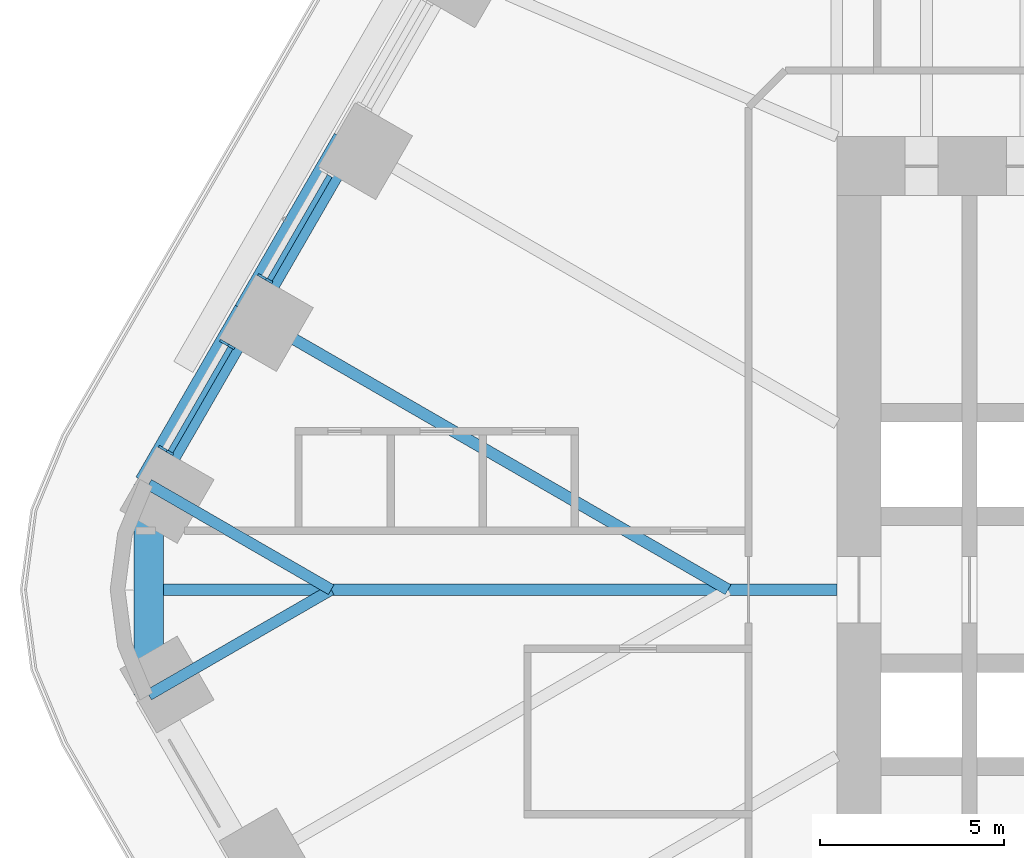
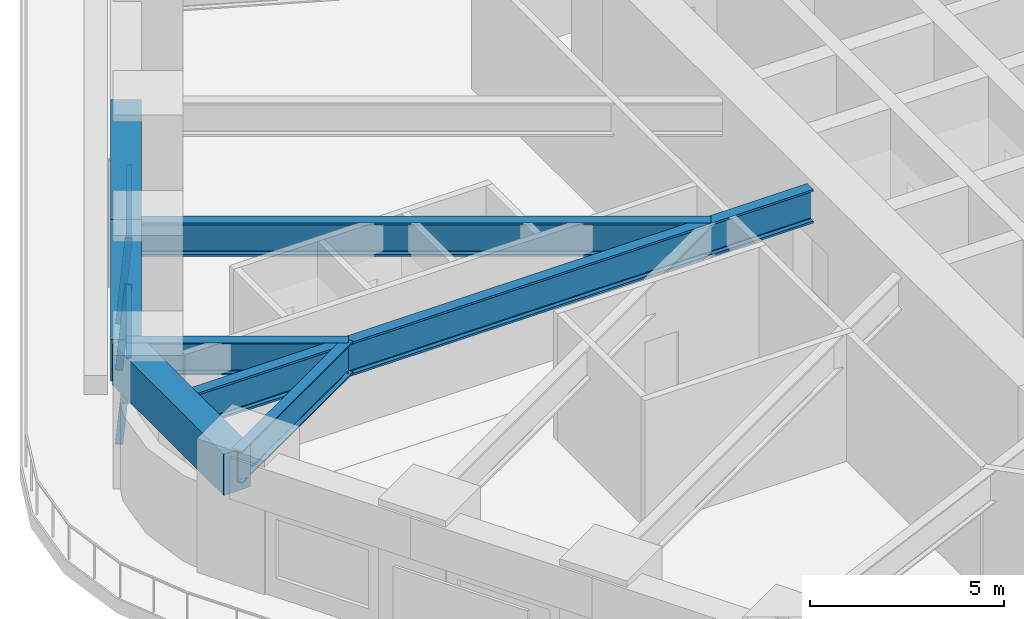
# One storey, part 6 of 23: 7 beams, 5 members, 2 elements without a shape of their own.
"""IFC4 building model written with IfcOpenShell, lengths in metres."""

import ifcopenshell
import ifcopenshell.guid

model = None  # the IFC model being written
_history = None  # IfcOwnerHistory: only IFC2X3 demands one
_inside = {}  # id of a spatial element -> (the spatial element, [elements in it])
_under = {}  # id of a project, library or spatial element -> (it, [spatial elements below it])
_declared = {}  # id of a project -> (the project, [libraries it declares])
_typed = {}  # id of a type object -> (the type object, [elements of that type])
_made_of = {}  # id of a material, layer set ... -> (it, [elements and type objects made of it])


def new_model(schema):
    """Start an empty IFC model of exactly this schema.

    Asked for "IFC4X3", IfcOpenShell would pick the latest addendum, in which some entities
    have other attributes; the version numbers below select the first issue.
    IFC2X3 requires an IfcOwnerHistory on every rooted entity: one is made here for all.
    """
    global model, _history
    if schema == "IFC4X3":
        model = ifcopenshell.file(schema_version=(4, 3, 0, 0))
    else:
        model = ifcopenshell.file(schema=schema)
    _inside.clear()
    _under.clear()
    _declared.clear()
    _typed.clear()
    _made_of.clear()
    _history = None
    if model.schema == "IFC2X3":
        org = make("IfcOrganization", Name="unknown")
        user = make(
            "IfcPersonAndOrganization",
            ThePerson=make("IfcPerson", FamilyName="unknown"),
            TheOrganization=org,
        )
        app = make(
            "IfcApplication",
            ApplicationDeveloper=org,
            Version="unknown",
            ApplicationFullName="unknown",
            ApplicationIdentifier="unknown",
        )
        _history = make(
            "IfcOwnerHistory",
            OwningUser=user,
            OwningApplication=app,
            ChangeAction="ADDED",
            CreationDate=0,
        )
    return model


def make(cls, **values):
    """One entity of the class cls with the attributes given. An attribute that is None is left unset."""
    return model.create_entity(
        cls, **{name: value for name, value in values.items() if value is not None}
    )


def rooted(cls, **values):
    """An entity with a GlobalId (a new one), such as an element, a storey or a relation."""
    return make(cls, GlobalId=ifcopenshell.guid.new(), OwnerHistory=_history, **values)


def si_unit(unit_type, name, prefix=None):
    """IfcSIUnit, for example si_unit("LENGTHUNIT", "METRE", prefix="MILLI")."""
    return make("IfcSIUnit", UnitType=unit_type, Prefix=prefix, Name=name)


def assignment(units):
    """IfcUnitAssignment: the units of a project."""
    return None if units is None else make("IfcUnitAssignment", Units=units)


def point(xyz):
    """IfcCartesianPoint."""
    return None if xyz is None else make("IfcCartesianPoint", Coordinates=xyz)


def direction(xyz):
    """IfcDirection."""
    return None if xyz is None else make("IfcDirection", DirectionRatios=xyz)


def frame(location, z_axis=None, x_axis=None):
    """IfcAxis2Placement3D, a coordinate frame: its origin and axes. An axis left out is left unset."""
    return make(
        "IfcAxis2Placement3D",
        Location=point(location),
        Axis=direction(z_axis),
        RefDirection=direction(x_axis),
    )


def frame_2d(location, x_axis=None):
    """IfcAxis2Placement2D, a coordinate frame in the plane: its origin and x axis."""
    return make(
        "IfcAxis2Placement2D", Location=point(location), RefDirection=direction(x_axis)
    )


def origin():
    """The frame at (0, 0, 0) with its axes left unset."""
    return frame((0.0, 0.0, 0.0))


def origin_2d():
    """The frame at (0, 0) in the plane with its x axis left unset."""
    return frame_2d((0.0, 0.0))


def place(relative_to, where):
    """IfcLocalPlacement: puts the frame where relative to a parent placement (None: the world)."""
    return make(
        "IfcLocalPlacement", PlacementRelTo=relative_to, RelativePlacement=where
    )


def context(
    kind, dimensions, precision=None, world=None, true_north=None, identifier=None
):
    """IfcGeometricRepresentationContext, for example the 3D "Model" context."""
    return make(
        "IfcGeometricRepresentationContext",
        ContextIdentifier=identifier,
        ContextType=kind,
        CoordinateSpaceDimension=dimensions,
        Precision=precision,
        WorldCoordinateSystem=world,
        TrueNorth=true_north,
    )


def subcontext(parent, identifier, kind, view, scale=None):
    """IfcGeometricRepresentationSubContext, for example "Body" below "Model"."""
    return make(
        "IfcGeometricRepresentationSubContext",
        ContextIdentifier=identifier,
        ContextType=kind,
        ParentContext=parent,
        TargetScale=scale,
        TargetView=view,
    )


def project(units=None, contexts=None):
    """IfcProject with its units and contexts."""
    return rooted(
        "IfcProject",
        Name="project",
        RepresentationContexts=contexts,
        UnitsInContext=assignment(units),
    )


def spatial(cls, under=None, at=None, **own):
    """A site, building, storey or space (cls), placed at a placement, below another one or the project."""
    s = rooted(cls, ObjectPlacement=at, **own)
    if under is not None:
        _under.setdefault(under.id(), (under, []))[1].append(s)
    return s


def profile(cls, at=None, kind="AREA", **sizes):
    """A parametric profile (cls). Its sizes go by their IFC names, for example OverallWidth=200.0."""
    return make(cls, ProfileType=kind, Position=at, **sizes)


def rectangle(**sizes):
    """IfcRectangleProfileDef."""
    return profile("IfcRectangleProfileDef", **sizes)


def i_section(**sizes):
    """IfcIShapeProfileDef."""
    return profile("IfcIShapeProfileDef", **sizes)


def extrude(swept, where, along, depth):
    """IfcExtrudedAreaSolid: the profile swept, set in the frame where, extruded along a direction by depth."""
    return make(
        "IfcExtrudedAreaSolid",
        SweptArea=swept,
        Position=where,
        ExtrudedDirection=direction(along),
        Depth=depth,
    )


def shape(context_of_items, identifier, shape_type, items):
    """IfcShapeRepresentation: the items that make up one representation, for example the "Body"."""
    return make(
        "IfcShapeRepresentation",
        ContextOfItems=context_of_items,
        RepresentationIdentifier=identifier,
        RepresentationType=shape_type,
        Items=items,
    )


def material(Name=None, Category=None):
    """IfcMaterial."""
    return make("IfcMaterial", Name=Name, Category=Category)


def material_profile(
    of_material, cross_section, Name=None, Category=None, Priority=None
):
    """IfcMaterialProfile: a cross section and its material."""
    return make(
        "IfcMaterialProfile",
        Name=Name,
        Material=of_material,
        Profile=cross_section,
        Priority=Priority,
        Category=Category,
    )


def profile_set(profiles, Name=None, composite=None):
    """IfcMaterialProfileSet."""
    return make(
        "IfcMaterialProfileSet",
        Name=Name,
        MaterialProfiles=profiles,
        CompositeProfile=composite,
    )


def made_of(thing, what):
    """Note that an element or type object is made of a material, layer set ...; save() writes the relation."""
    if what is not None:
        _made_of.setdefault(what.id(), (what, []))[1].append(thing)
    return thing


def type_object(cls, material=None, **own):
    """A type object (cls), such as IfcWallType, which elements share."""
    return made_of(rooted(cls, **own), material)


def element(
    cls,
    number,
    at=None,
    inside=None,
    cuts=None,
    type_object=None,
    material=None,
    context=None,
    identifier="Body",
    shape_type=None,
    held_by="IfcProductDefinitionShape",
    body=None,
    shapes=None,
    **own,
):
    """One element of the class cls, such as IfcWall. Its Tag is "e" and its number.

    at: its placement. inside: the storey or other place that contains it. cuts: it is an
    opening in that element (IfcRelVoidsElement). A single representation is given by context,
    identifier, shape_type and body (its items); several are given by shapes. held_by: the class
    of the entity that holds the representations. save() writes the other relations.
    """
    e = rooted(cls, Tag="e%d" % number, ObjectPlacement=at, **own)
    if body is not None:
        shapes = [shape(context, identifier, shape_type, body)]
    if shapes is not None:
        e.Representation = make(held_by, Representations=shapes)
    if inside is not None:
        _inside.setdefault(inside.id(), (inside, []))[1].append(e)
    if cuts is not None:
        rooted(
            "IfcRelVoidsElement", RelatingBuildingElement=cuts, RelatedOpeningElement=e
        )
    if type_object is not None:
        _typed.setdefault(type_object.id(), (type_object, []))[1].append(e)
    return made_of(e, material)


def aggregate(whole, parts):
    """IfcRelAggregates: a whole, such as a stair, and the parts it consists of."""
    return rooted("IfcRelAggregates", RelatingObject=whole, RelatedObjects=parts)


def save(model, path):
    """Write the relations noted so far, then the file.

    IfcRelAggregates (storeys below a building ...), IfcRelContainedInSpatialStructure (elements
    in a storey), IfcRelDefinesByType, IfcRelAssociatesMaterial and IfcRelDeclares: one each for
    every whole, place, type object, material and project.
    """
    for whole, parts in _under.values():
        aggregate(whole, parts)
    for where, things in _inside.values():
        rooted(
            "IfcRelContainedInSpatialStructure",
            RelatedElements=things,
            RelatingStructure=where,
        )
    for kind, things in _typed.values():
        rooted("IfcRelDefinesByType", RelatedObjects=things, RelatingType=kind)
    for what, things in _made_of.values():
        rooted("IfcRelAssociatesMaterial", RelatedObjects=things, RelatingMaterial=what)
    for by, libraries in _declared.values():
        rooted("IfcRelDeclares", RelatingContext=by, RelatedDefinitions=libraries)
    model.write(path)


model = new_model("IFC4")

# Units and contexts
model_context = context("Model", 3, precision=1e-05, world=origin(), true_north=direction((0.0, 1.0)))
body_context = subcontext(model_context, "Body", "Model", "MODEL_VIEW")
ifc_project = project(units=[si_unit("LENGTHUNIT", "METRE"), si_unit("AREAUNIT", "SQUARE_METRE"), si_unit("VOLUMEUNIT", "CUBIC_METRE"), si_unit("PLANEANGLEUNIT", "RADIAN"), si_unit("MASSUNIT", "GRAM", prefix="KILO")], contexts=[model_context])

# Site, building, storey
site_placement = place(None, origin())
site = spatial("IfcSite", under=ifc_project, at=site_placement, CompositionType="ELEMENT")
building_placement = place(site_placement, origin())
building = spatial("IfcBuilding", under=site, at=building_placement, Name="Tarfa Lantern Tower", CompositionType="ELEMENT")
storey_placement = place(building_placement, frame((0.0, 0.0, 61.300048828125)))
storey = spatial("IfcBuildingStorey", under=building, at=storey_placement, Name="L13", CompositionType="ELEMENT", Elevation=61.300048828125)

# Curtain wall, member
ifc_material_1 = material(Name="Aluminium framed curtain wall", Category="aluminium")
curtain_wall_type = type_object("IfcCurtainWallType", Name="CW1 CANTED GLAZING LOW ZONE 2700", PredefinedType="USERDEFINED", material=ifc_material_1)
curtain_wall_1_placement = place(storey_placement, origin())
curtain_wall_1 = element("IfcCurtainWall", 1, at=curtain_wall_1_placement, inside=storey, type_object=curtain_wall_type, Name="CW1 NW L13", ObjectType="CURTAIN WALL", PredefinedType="USERDEFINED")
ifc_material_2 = material(Name="Aluminium mullion", Category="aluminium")
ifc_material_profile_1 = material_profile(ifc_material_2, rectangle(XDim=0.06494140625, YDim=0.199951171875, at=origin_2d()), Name="AL MULLION 65x200")
ifc_profile_set_1 = profile_set([ifc_material_profile_1], Name="Aluminium mullion")
member_type_1 = type_object("IfcMemberType", Name="CWM1 MULLION 65x200", PredefinedType="MULLION", material=ifc_profile_set_1)
member_1_placement = place(storey_placement, frame((-34.230712890625, 8.5107421875, 0.0), z_axis=(0.07986442134, -0.046099868913, 0.99573916077), x_axis=(0.499919672301, 0.866071776036, 0.0)))
member_1 = element("IfcMember", 2, at=member_1_placement, type_object=member_type_1, Name="CW1 mullion 2", PredefinedType="MULLION", context=body_context, shape_type="SweptSolid", body=[
    extrude(rectangle(XDim=0.06494140625, YDim=0.199951171875, at=origin_2d()), origin(), (0.0, 0.0, 1.0), 2.71142578125),
])

# Curtain wall, members
curtain_wall_2_placement = place(storey_placement, origin())
curtain_wall_2 = element("IfcCurtainWall", 3, at=curtain_wall_2_placement, inside=storey, type_object=curtain_wall_type, Name="CW1 NW L13", ObjectType="CURTAIN WALL", PredefinedType="USERDEFINED")
member_2_placement = place(storey_placement, frame((-35.26318359375, 6.722412109375, 0.0), z_axis=(0.07986442134, -0.046099868913, 0.99573916077), x_axis=(0.499919672301, 0.866071776036, 0.0)))
member_2 = element("IfcMember", 4, at=member_2_placement, type_object=member_type_1, Name="CW1 mullion 1", PredefinedType="MULLION", context=body_context, shape_type="SweptSolid", body=[
    extrude(rectangle(XDim=0.06494140625, YDim=0.199951171875, at=origin_2d()), origin(), (0.0, 0.0, 1.0), 2.71142578125),
])
member_3_placement = place(storey_placement, frame((-36.9248046875, 3.84423828125, 0.0), z_axis=(0.079774955866, -0.04610020023, 0.995746317068), x_axis=(0.500342721131, 0.865827443207, 0.0)))
member_3 = element("IfcMember", 5, at=member_3_placement, type_object=member_type_1, Name="CW1 mullion 2", PredefinedType="MULLION", context=body_context, shape_type="SweptSolid", body=[
    extrude(rectangle(XDim=0.06494140625, YDim=0.199951171875, at=origin_2d()), origin(), (0.0, 0.0, 1.0), 2.71142578125),
])

# Member
ifc_material_3 = material(Name="Aluminium transom", Category="aluminium")
ifc_material_profile_2 = material_profile(ifc_material_3, rectangle(XDim=0.14990234375, YDim=0.06494140625, at=origin_2d()), Name="AL TRANSOM 150x65")
ifc_profile_set_2 = profile_set([ifc_material_profile_2], Name="Aluminium transom")
member_type_2 = type_object("IfcMemberType", Name="CWT1 TRANSOM 150x65", PredefinedType="USERDEFINED", material=ifc_profile_set_2)
member_4_placement = place(storey_placement, frame((-32.37109375, 11.237548828125, 2.66748046875), z_axis=(-0.500022939057, -0.866012159509, 0.0), x_axis=(0.866012159509, -0.500022939057, 0.0)))
member_4 = element("IfcMember", 6, at=member_4_placement, type_object=member_type_2, Name="CW1 transom 1.2", ObjectType="TRANSOM", PredefinedType="USERDEFINED", context=body_context, shape_type="SweptSolid", body=[
    extrude(rectangle(XDim=0.14990234375, YDim=0.06494140625, at=origin_2d()), origin(), (0.0, 0.0, 1.0), 3.258544921875),
])

aggregate(curtain_wall_1, [member_1, member_4])

member_5_placement = place(storey_placement, frame((-35.0654296875, 6.57080078125, 2.66748046875), z_axis=(-0.500022939057, -0.866012159509, 0.0), x_axis=(0.866012159509, -0.500022939057, 0.0)))
member_5 = element("IfcMember", 7, at=member_5_placement, type_object=member_type_2, Name="CW1 transom 1.2", ObjectType="TRANSOM", PredefinedType="USERDEFINED", context=body_context, shape_type="SweptSolid", body=[
    extrude(rectangle(XDim=0.14990234375, YDim=0.06494140625, at=origin_2d()), origin(), (0.0, 0.0, 1.0), 3.258544921875),
])

aggregate(curtain_wall_2, [member_2, member_3, member_5])

# Beams
ifc_material_4 = material(Name="Concrete C80/95", Category="concrete")
ifc_material_profile_3 = material_profile(ifc_material_4, rectangle(XDim=0.800048828125, YDim=1.300048828125, at=origin_2d()), Name="RC 800x1300")
ifc_profile_set_3 = profile_set([ifc_material_profile_3], Name="Concrete C80/95")
beam_type_1 = type_object("IfcBeamType", Name="EB1 RC 800x1300", PredefinedType="SPANDREL", material=ifc_profile_set_3)
beam_1_placement = place(storey_placement, frame((-31.896728515625, 12.193359375, 3.349853515625), z_axis=(-0.499998287579, -0.866026392449, 0.0), x_axis=(0.866026392449, -0.499998287579, 0.0)))
element("IfcBeam", 8, at=beam_1_placement, inside=storey, type_object=beam_type_1, Name="Edge beam NW4", PredefinedType="SPANDREL", context=body_context, shape_type="SweptSolid", body=[
    extrude(rectangle(XDim=0.800048828125, YDim=1.300048828125, at=origin_2d()), origin(), (0.0, 0.0, 1.0), 5.388671875),
])
beam_2_placement = place(storey_placement, frame((-34.591064453125, 7.526611328125, 3.349853515625), z_axis=(-0.500017906299, -0.866015065331, 0.0), x_axis=(0.866015065331, -0.500017906299, 0.0)))
element("IfcBeam", 9, at=beam_2_placement, inside=storey, type_object=beam_type_1, Name="Edge beam NW5", PredefinedType="SPANDREL", context=body_context, shape_type="SweptSolid", body=[
    extrude(rectangle(XDim=0.800048828125, YDim=1.300048828125, at=origin_2d()), origin(), (0.0, 0.0, 1.0), 5.388427734375),
])
beam_3_placement = place(storey_placement, frame((-37.285400390625, 2.860107421875, 3.349853515625), z_axis=(0.0, -1.0, 0.0), x_axis=(1.0, 0.0, 0.0)))
element("IfcBeam", 10, at=beam_3_placement, inside=storey, type_object=beam_type_1, Name="Edge beam NW6", PredefinedType="SPANDREL", context=body_context, shape_type="SweptSolid", body=[
    extrude(rectangle(XDim=0.800048828125, YDim=1.300048828125, at=origin_2d()), origin(), (0.0, 0.0, 1.0), 5.72021484375),
])
ifc_material_5 = material(Name="Steel S460M", Category="steel")
ifc_material_profile_4 = material_profile(ifc_material_5, i_section(OverallWidth=0.302001953125, OverallDepth=1.008056640625, WebThickness=0.02099609375, FlangeThickness=0.0400390625, FilletRadius=0.030029296875, at=origin_2d()), Name="UB1016x305x349")
ifc_profile_set_4 = profile_set([ifc_material_profile_4], Name="Steel S460M")
beam_type_2 = type_object("IfcBeamType", Name="UB1016x305x349", PredefinedType="BEAM", material=ifc_profile_set_4)
for number, where, z_axis, x_axis, name in (
    (11, (-37.285400390625, 2.860107421875, 3.495849609375), (0.866025668288, -0.499999541866, 0.0), (0.499999541866, 0.866025668288, 0.0), "Floor beam NW6"),
    (12, (-37.285400390625, -2.860107421875, 3.495849609375), (0.866025668288, 0.499999541866, 0.0), (-0.499999541866, 0.866025668288, 0.0), "Floor beam SW0"),
):
    element("IfcBeam", number, at=place(storey_placement, frame(where, z_axis=z_axis, x_axis=x_axis)), inside=storey, type_object=beam_type_2, Name=name, PredefinedType="BEAM", context=body_context, shape_type="SweptSolid", body=[
        extrude(i_section(OverallWidth=0.302001953125, OverallDepth=1.008056640625, WebThickness=0.02099609375, FlangeThickness=0.0400390625, FilletRadius=0.030029296875, at=origin_2d()), origin(), (0.0, 0.0, 1.0), 5.72021484375),
    ])
ifc_material_profile_5 = material_profile(ifc_material_5, i_section(OverallWidth=0.314208984375, OverallDepth=1.055908203125, WebThickness=0.035888671875, FlangeThickness=0.06396484375, FilletRadius=0.030029296875, at=origin_2d()), Name="UB1016x305x584")
ifc_profile_set_5 = profile_set([ifc_material_profile_5], Name="Steel S460M")
beam_type_3 = type_object("IfcBeamType", Name="UB1016x305x584", PredefinedType="BEAM", material=ifc_profile_set_5)
beam_4_placement = place(storey_placement, frame((-18.60009765625, 0.0, 3.471923828125), z_axis=(-1.0, 0.0, 0.0), x_axis=(0.0, -1.0, 0.0)))
element("IfcBeam", 13, at=beam_4_placement, inside=storey, type_object=beam_type_3, Name="Hip girder W", PredefinedType="BEAM", context=body_context, shape_type="SweptSolid", body=[
    extrude(i_section(OverallWidth=0.314208984375, OverallDepth=1.055908203125, WebThickness=0.035888671875, FlangeThickness=0.06396484375, FilletRadius=0.030029296875, at=origin_2d()), origin(), (0.0, 0.0, 1.0), 18.685302734375),
])
beam_5_placement = place(storey_placement, frame((-34.591064453125, 7.526611328125, 3.471923828125), z_axis=(0.86602785945, -0.499995746638, 0.0), x_axis=(0.499995746638, 0.86602785945, 0.0)))
element("IfcBeam", 14, at=beam_5_placement, inside=storey, type_object=beam_type_3, Name="Floor beam NW5", PredefinedType="BEAM", context=body_context, shape_type="SweptSolid", body=[
    extrude(i_section(OverallWidth=0.314208984375, OverallDepth=1.055908203125, WebThickness=0.035888671875, FlangeThickness=0.06396484375, FilletRadius=0.030029296875, at=origin_2d()), origin(), (0.0, 0.0, 1.0), 15.053466796875),
])

save(model, "model.ifc")
